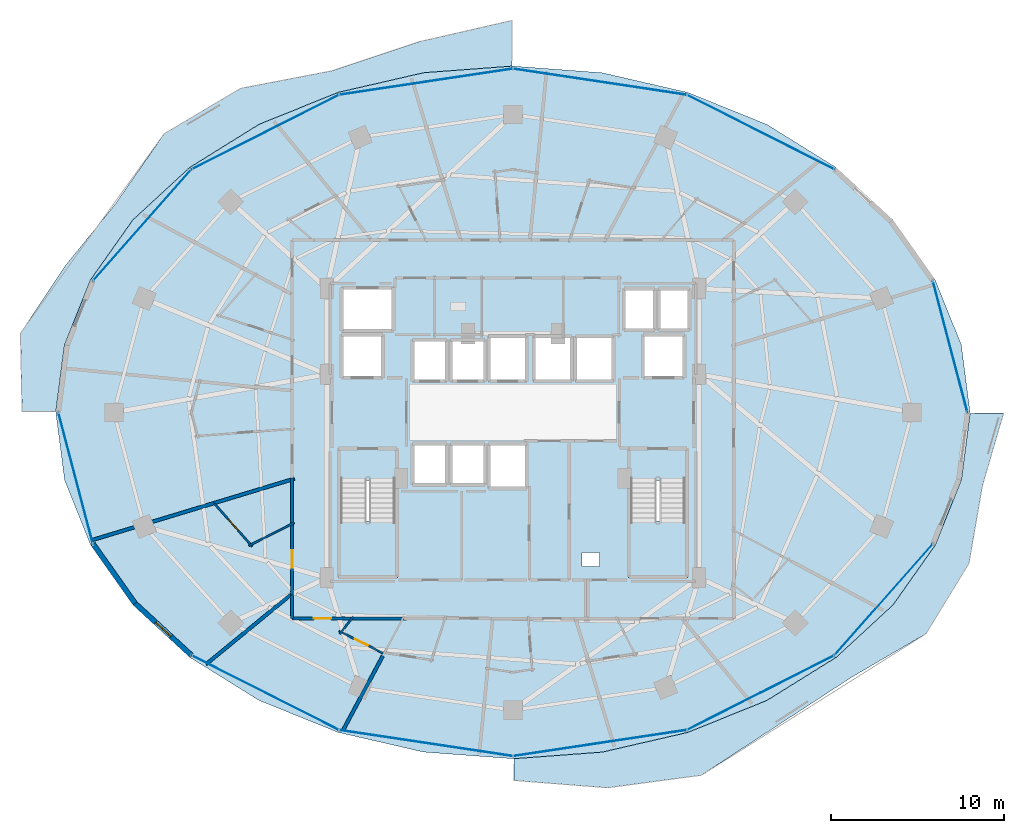
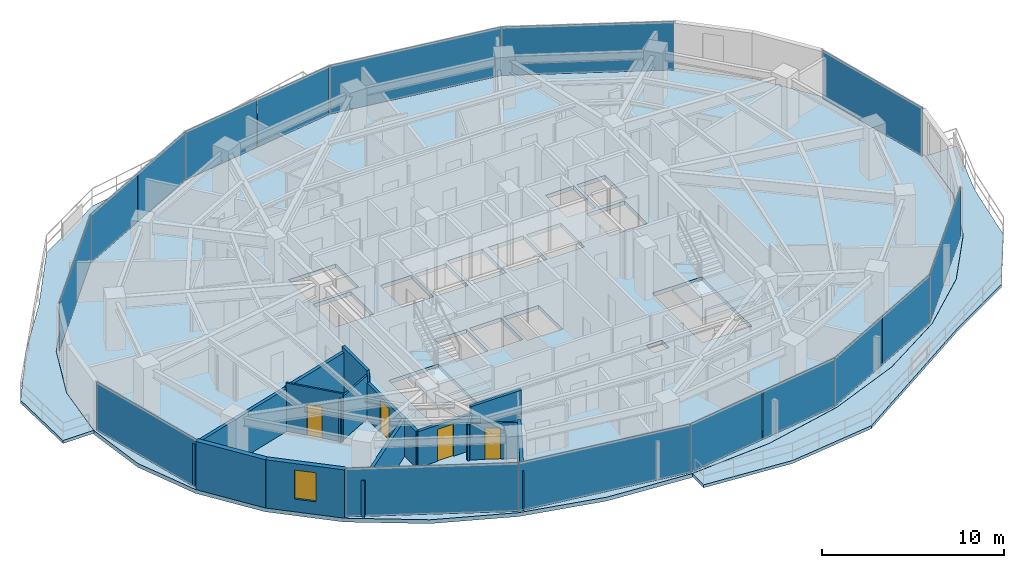
# One storey, part 20 of 29: 16 plates, 15 walls, 5 slabs, 4 doors, 1 window, 5 openings, 6 elements without a shape of their own.
"""IFC4 building model written with IfcOpenShell, lengths in metres."""

import ifcopenshell
import ifcopenshell.guid

model = None  # the IFC model being written
_history = None  # IfcOwnerHistory: only IFC2X3 demands one
_inside = {}  # id of a spatial element -> (the spatial element, [elements in it])
_under = {}  # id of a project, library or spatial element -> (it, [spatial elements below it])
_declared = {}  # id of a project -> (the project, [libraries it declares])
_typed = {}  # id of a type object -> (the type object, [elements of that type])
_made_of = {}  # id of a material, layer set ... -> (it, [elements and type objects made of it])


def new_model(schema):
    """Start an empty IFC model of exactly this schema.

    Asked for "IFC4X3", IfcOpenShell would pick the latest addendum, in which some entities
    have other attributes; the version numbers below select the first issue.
    IFC2X3 requires an IfcOwnerHistory on every rooted entity: one is made here for all.
    """
    global model, _history
    if schema == "IFC4X3":
        model = ifcopenshell.file(schema_version=(4, 3, 0, 0))
    else:
        model = ifcopenshell.file(schema=schema)
    _inside.clear()
    _under.clear()
    _declared.clear()
    _typed.clear()
    _made_of.clear()
    _history = None
    if model.schema == "IFC2X3":
        org = make("IfcOrganization", Name="unknown")
        user = make(
            "IfcPersonAndOrganization",
            ThePerson=make("IfcPerson", FamilyName="unknown"),
            TheOrganization=org,
        )
        app = make(
            "IfcApplication",
            ApplicationDeveloper=org,
            Version="unknown",
            ApplicationFullName="unknown",
            ApplicationIdentifier="unknown",
        )
        _history = make(
            "IfcOwnerHistory",
            OwningUser=user,
            OwningApplication=app,
            ChangeAction="ADDED",
            CreationDate=0,
        )
    return model


def make(cls, **values):
    """One entity of the class cls with the attributes given. An attribute that is None is left unset."""
    return model.create_entity(
        cls, **{name: value for name, value in values.items() if value is not None}
    )


def rooted(cls, **values):
    """An entity with a GlobalId (a new one), such as an element, a storey or a relation."""
    return make(cls, GlobalId=ifcopenshell.guid.new(), OwnerHistory=_history, **values)


def si_unit(unit_type, name, prefix=None):
    """IfcSIUnit, for example si_unit("LENGTHUNIT", "METRE", prefix="MILLI")."""
    return make("IfcSIUnit", UnitType=unit_type, Prefix=prefix, Name=name)


def assignment(units):
    """IfcUnitAssignment: the units of a project."""
    return None if units is None else make("IfcUnitAssignment", Units=units)


def point(xyz):
    """IfcCartesianPoint."""
    return None if xyz is None else make("IfcCartesianPoint", Coordinates=xyz)


def direction(xyz):
    """IfcDirection."""
    return None if xyz is None else make("IfcDirection", DirectionRatios=xyz)


def frame(location, z_axis=None, x_axis=None):
    """IfcAxis2Placement3D, a coordinate frame: its origin and axes. An axis left out is left unset."""
    return make(
        "IfcAxis2Placement3D",
        Location=point(location),
        Axis=direction(z_axis),
        RefDirection=direction(x_axis),
    )


def frame_2d(location, x_axis=None):
    """IfcAxis2Placement2D, a coordinate frame in the plane: its origin and x axis."""
    return make(
        "IfcAxis2Placement2D", Location=point(location), RefDirection=direction(x_axis)
    )


def origin():
    """The frame at (0, 0, 0) with its axes left unset."""
    return frame((0.0, 0.0, 0.0))


def origin_2d():
    """The frame at (0, 0) in the plane with its x axis left unset."""
    return frame_2d((0.0, 0.0))


def place(relative_to, where):
    """IfcLocalPlacement: puts the frame where relative to a parent placement (None: the world)."""
    return make(
        "IfcLocalPlacement", PlacementRelTo=relative_to, RelativePlacement=where
    )


def context(
    kind, dimensions, precision=None, world=None, true_north=None, identifier=None
):
    """IfcGeometricRepresentationContext, for example the 3D "Model" context."""
    return make(
        "IfcGeometricRepresentationContext",
        ContextIdentifier=identifier,
        ContextType=kind,
        CoordinateSpaceDimension=dimensions,
        Precision=precision,
        WorldCoordinateSystem=world,
        TrueNorth=true_north,
    )


def subcontext(parent, identifier, kind, view, scale=None):
    """IfcGeometricRepresentationSubContext, for example "Body" below "Model"."""
    return make(
        "IfcGeometricRepresentationSubContext",
        ContextIdentifier=identifier,
        ContextType=kind,
        ParentContext=parent,
        TargetScale=scale,
        TargetView=view,
    )


def project(units=None, contexts=None):
    """IfcProject with its units and contexts."""
    return rooted(
        "IfcProject",
        Name="project",
        RepresentationContexts=contexts,
        UnitsInContext=assignment(units),
    )


def spatial(cls, under=None, at=None, **own):
    """A site, building, storey or space (cls), placed at a placement, below another one or the project."""
    s = rooted(cls, ObjectPlacement=at, **own)
    if under is not None:
        _under.setdefault(under.id(), (under, []))[1].append(s)
    return s


def polyline(points):
    """IfcPolyline through the points."""
    return make("IfcPolyline", Points=[point(p) for p in points])


def profile(cls, at=None, kind="AREA", **sizes):
    """A parametric profile (cls). Its sizes go by their IFC names, for example OverallWidth=200.0."""
    return make(cls, ProfileType=kind, Position=at, **sizes)


def rectangle(**sizes):
    """IfcRectangleProfileDef."""
    return profile("IfcRectangleProfileDef", **sizes)


def outline(outer, holes=None, kind="AREA"):
    """IfcArbitraryClosedProfileDef: a profile drawn as a closed curve; with holes, ...WithVoids."""
    if holes is None:
        return make("IfcArbitraryClosedProfileDef", ProfileType=kind, OuterCurve=outer)
    return make(
        "IfcArbitraryProfileDefWithVoids",
        ProfileType=kind,
        OuterCurve=outer,
        InnerCurves=holes,
    )


def extrude(swept, where, along, depth):
    """IfcExtrudedAreaSolid: the profile swept, set in the frame where, extruded along a direction by depth."""
    return make(
        "IfcExtrudedAreaSolid",
        SweptArea=swept,
        Position=where,
        ExtrudedDirection=direction(along),
        Depth=depth,
    )


def shape(context_of_items, identifier, shape_type, items):
    """IfcShapeRepresentation: the items that make up one representation, for example the "Body"."""
    return make(
        "IfcShapeRepresentation",
        ContextOfItems=context_of_items,
        RepresentationIdentifier=identifier,
        RepresentationType=shape_type,
        Items=items,
    )


def material(Name=None, Category=None):
    """IfcMaterial."""
    return make("IfcMaterial", Name=Name, Category=Category)


def layer(
    of_material, thickness, ventilated=None, Name=None, Category=None, Priority=None
):
    """IfcMaterialLayer: one layer of a wall or slab, of a material (None: an air gap)."""
    return make(
        "IfcMaterialLayer",
        Material=of_material,
        LayerThickness=thickness,
        IsVentilated=ventilated,
        Name=Name,
        Category=Category,
        Priority=Priority,
    )


def layer_set(layers, Name=None):
    """IfcMaterialLayerSet."""
    return make("IfcMaterialLayerSet", MaterialLayers=layers, LayerSetName=Name)


def made_of(thing, what):
    """Note that an element or type object is made of a material, layer set ...; save() writes the relation."""
    if what is not None:
        _made_of.setdefault(what.id(), (what, []))[1].append(thing)
    return thing


def type_object(cls, material=None, **own):
    """A type object (cls), such as IfcWallType, which elements share."""
    return made_of(rooted(cls, **own), material)


def element(
    cls,
    number,
    at=None,
    inside=None,
    cuts=None,
    type_object=None,
    material=None,
    context=None,
    identifier="Body",
    shape_type=None,
    held_by="IfcProductDefinitionShape",
    body=None,
    shapes=None,
    **own,
):
    """One element of the class cls, such as IfcWall. Its Tag is "e" and its number.

    at: its placement. inside: the storey or other place that contains it. cuts: it is an
    opening in that element (IfcRelVoidsElement). A single representation is given by context,
    identifier, shape_type and body (its items); several are given by shapes. held_by: the class
    of the entity that holds the representations. save() writes the other relations.
    """
    e = rooted(cls, Tag="e%d" % number, ObjectPlacement=at, **own)
    if body is not None:
        shapes = [shape(context, identifier, shape_type, body)]
    if shapes is not None:
        e.Representation = make(held_by, Representations=shapes)
    if inside is not None:
        _inside.setdefault(inside.id(), (inside, []))[1].append(e)
    if cuts is not None:
        rooted(
            "IfcRelVoidsElement", RelatingBuildingElement=cuts, RelatedOpeningElement=e
        )
    if type_object is not None:
        _typed.setdefault(type_object.id(), (type_object, []))[1].append(e)
    return made_of(e, material)


def fill(opening, filler):
    """IfcRelFillsElement: the door or window that sits in an opening."""
    return rooted(
        "IfcRelFillsElement",
        RelatingOpeningElement=opening,
        RelatedBuildingElement=filler,
    )


def aggregate(whole, parts):
    """IfcRelAggregates: a whole, such as a stair, and the parts it consists of."""
    return rooted("IfcRelAggregates", RelatingObject=whole, RelatedObjects=parts)


def save(model, path):
    """Write the relations noted so far, then the file.

    IfcRelAggregates (storeys below a building ...), IfcRelContainedInSpatialStructure (elements
    in a storey), IfcRelDefinesByType, IfcRelAssociatesMaterial and IfcRelDeclares: one each for
    every whole, place, type object, material and project.
    """
    for whole, parts in _under.values():
        aggregate(whole, parts)
    for where, things in _inside.values():
        rooted(
            "IfcRelContainedInSpatialStructure",
            RelatedElements=things,
            RelatingStructure=where,
        )
    for kind, things in _typed.values():
        rooted("IfcRelDefinesByType", RelatedObjects=things, RelatingType=kind)
    for what, things in _made_of.values():
        rooted("IfcRelAssociatesMaterial", RelatedObjects=things, RelatingMaterial=what)
    for by, libraries in _declared.values():
        rooted("IfcRelDeclares", RelatingContext=by, RelatedDefinitions=libraries)
    model.write(path)


model = new_model("IFC4")

# Units and contexts
model_context = context("Model", 3, precision=1e-05, world=origin(), true_north=direction((0.0, 1.0)))
body_context = subcontext(model_context, "Body", "Model", "MODEL_VIEW")
ifc_project = project(units=[si_unit("LENGTHUNIT", "METRE"), si_unit("AREAUNIT", "SQUARE_METRE"), si_unit("VOLUMEUNIT", "CUBIC_METRE"), si_unit("PLANEANGLEUNIT", "RADIAN"), si_unit("MASSUNIT", "GRAM", prefix="KILO")], contexts=[model_context])

# Site, building, storey
site_placement = place(None, origin())
site = spatial("IfcSite", under=ifc_project, at=site_placement, CompositionType="ELEMENT")
building_placement = place(site_placement, origin())
building = spatial("IfcBuilding", under=site, at=building_placement, Name="Vorneva Point Tower", CompositionType="ELEMENT")
storey_placement = place(building_placement, frame((0.0, 0.0, 113.800048828125)))
storey = spatial("IfcBuildingStorey", under=building, at=storey_placement, Name="L30", CompositionType="ELEMENT", Elevation=113.800048828125)

# Curtain wall, plate
ifc_material_1 = material(Name="Pale anodised aluminium", Category="aluminium")
curtain_wall_type = type_object("IfcCurtainWallType", Name="CW-HTL-SYS", PredefinedType="NOTDEFINED", material=ifc_material_1)
curtain_wall_1_placement = place(storey_placement, origin())
curtain_wall_1 = element("IfcCurtainWall", 1, at=curtain_wall_1_placement, inside=storey, type_object=curtain_wall_type, Name="L30 Unitised Curtain Wall CW-L30-R01", PredefinedType="NOTDEFINED")
ifc_material_2 = material(Name="Double low-e laminated glass IGU", Category="glass")
ifc_layer_1 = layer(ifc_material_2, 0.035888671875)
ifc_layer_set_1 = layer_set([ifc_layer_1], Name="Double low-e laminated glass IGU")
plate_type = type_object("IfcPlateType", Name="CW-PNL-VIS", PredefinedType="CURTAIN_PANEL", material=ifc_layer_set_1)
plate_1_placement = place(storey_placement, frame((63.2509765625, 29.798095703125, -0.02001953125), z_axis=(0.0, 0.0, 1.0), x_axis=(-0.254399404995, 0.967099241411, 0.0)))
plate_1 = element("IfcPlate", 2, at=plate_1_placement, type_object=plate_type, Name="CW-L30-R01 Glazed Panel 01", PredefinedType="CURTAIN_PANEL", context=body_context, shape_type="SweptSolid", body=[
    extrude(rectangle(XDim=7.8046875, YDim=0.035888671875, at=origin_2d()), origin(), (0.0, 0.0, 1.0), 3.280029296875),
])
aggregate(curtain_wall_1, [plate_1])

# Curtain wall, plates
curtain_wall_2_placement = place(storey_placement, origin())
curtain_wall_2 = element("IfcCurtainWall", 3, at=curtain_wall_2_placement, inside=storey, type_object=curtain_wall_type, Name="L30 Unitised Curtain Wall CW-L30-R02", PredefinedType="NOTDEFINED")
plate_2_placement = place(storey_placement, frame((52.303466796875, 42.1875, -0.02001953125), z_axis=(0.0, 0.0, 1.0), x_axis=(-0.892538597772, 0.450971009585, 0.0)))
plate_2 = element("IfcPlate", 4, at=plate_2_placement, type_object=plate_type, Name="CW-L30-R02 Glazed Panel 01", PredefinedType="CURTAIN_PANEL", context=body_context, shape_type="SweptSolid", body=[
    extrude(rectangle(XDim=9.491455078125, YDim=0.035888671875, at=origin_2d()), origin(), (0.0, 0.0, 1.0), 3.280029296875),
])
plate_3_placement = place(storey_placement, frame((43.022705078125, 45.094482421875, -0.02001953125), z_axis=(0.0, 0.0, 1.0), x_axis=(-0.988876117041, 0.148741470836, 0.0)))
plate_3 = element("IfcPlate", 5, at=plate_3_placement, type_object=plate_type, Name="CW-L30-R02 Glazed Panel 02", PredefinedType="CURTAIN_PANEL", context=body_context, shape_type="SweptSolid", body=[
    extrude(rectangle(XDim=10.1083984375, YDim=0.035888671875, at=origin_2d()), origin(), (0.0, 0.0, 1.0), 3.280029296875),
])
plate_4_placement = place(storey_placement, frame((35.488525390625, 45.472412109375, -0.02001953125), z_axis=(0.0, 0.0, 1.0), x_axis=(-0.988876117041, -0.148741470836, 0.0)))
plate_4 = element("IfcPlate", 6, at=plate_4_placement, type_object=plate_type, Name="CW-L30-R02 Glazed Panel 03A", PredefinedType="CURTAIN_PANEL", context=body_context, shape_type="SweptSolid", body=[
    extrude(rectangle(XDim=5.029296875, YDim=0.035888671875, at=origin_2d()), origin(), (0.0, 0.0, 1.0), 3.280029296875),
])
plate_5_placement = place(storey_placement, frame((30.4658203125, 44.716796875, -0.02001953125), z_axis=(0.0, 0.0, 1.0), x_axis=(-0.988876117041, -0.148741470836, 0.0)))
plate_5 = element("IfcPlate", 7, at=plate_5_placement, type_object=plate_type, Name="CW-L30-R02 Glazed Panel 03B", PredefinedType="CURTAIN_PANEL", context=body_context, shape_type="SweptSolid", body=[
    extrude(rectangle(XDim=5.029296875, YDim=0.035888671875, at=origin_2d()), origin(), (0.0, 0.0, 1.0), 3.280029296875),
])
plate_6_placement = place(storey_placement, frame((25.825439453125, 43.26318359375, -0.02001953125), z_axis=(0.0, 0.0, 1.0), x_axis=(-0.892538597772, -0.450971009585, 0.0)))
plate_6 = element("IfcPlate", 8, at=plate_6_placement, type_object=plate_type, Name="CW-L30-R02 Glazed Panel 04A", PredefinedType="CURTAIN_PANEL", context=body_context, shape_type="SweptSolid", body=[
    extrude(rectangle(XDim=4.720703125, YDim=0.035888671875, at=origin_2d()), origin(), (0.0, 0.0, 1.0), 3.280029296875),
])
plate_7_placement = place(storey_placement, frame((21.5673828125, 41.11181640625, -0.02001953125), z_axis=(0.0, 0.0, 1.0), x_axis=(-0.892538597772, -0.450971009585, 0.0)))
plate_7 = element("IfcPlate", 9, at=plate_7_placement, type_object=plate_type, Name="CW-L30-R02 Glazed Panel 04B", PredefinedType="CURTAIN_PANEL", context=body_context, shape_type="SweptSolid", body=[
    extrude(rectangle(XDim=4.720703125, YDim=0.035888671875, at=origin_2d()), origin(), (0.0, 0.0, 1.0), 3.280029296875),
])
plate_8_placement = place(storey_placement, frame((16.59326171875, 36.816162109375, -0.02001953125), z_axis=(0.0, 0.0, 1.0), x_axis=(-0.662149334693, -0.749371909379, 0.0)))
plate_8 = element("IfcPlate", 10, at=plate_8_placement, type_object=plate_type, Name="CW-L30-R02 Glazed Panel 05", PredefinedType="CURTAIN_PANEL", context=body_context, shape_type="SweptSolid", body=[
    extrude(rectangle(XDim=8.543701171875, YDim=0.035888671875, at=origin_2d()), origin(), (0.0, 0.0, 1.0), 3.280029296875),
])
aggregate(curtain_wall_2, [plate_2, plate_3, plate_4, plate_5, plate_6, plate_7, plate_8])

# Curtain wall, plate
curtain_wall_3_placement = place(storey_placement, origin())
curtain_wall_3 = element("IfcCurtainWall", 11, at=curtain_wall_3_placement, inside=storey, type_object=curtain_wall_type, Name="L30 Unitised Curtain Wall CW-L30-R03", PredefinedType="NOTDEFINED")
plate_9_placement = place(storey_placement, frame((12.7490234375, 22.201904296875, -0.02001953125), z_axis=(0.0, 0.0, 1.0), x_axis=(0.254399404995, -0.967099241411, 0.0)))
plate_9 = element("IfcPlate", 12, at=plate_9_placement, type_object=plate_type, Name="CW-L30-R03 Glazed Panel 01", PredefinedType="CURTAIN_PANEL", context=body_context, shape_type="SweptSolid", body=[
    extrude(rectangle(XDim=7.8046875, YDim=0.035888671875, at=origin_2d()), origin(), (0.0, 0.0, 1.0), 3.280029296875),
])
aggregate(curtain_wall_3, [plate_9])

# Curtain wall, plates
curtain_wall_4_placement = place(storey_placement, origin())
curtain_wall_4 = element("IfcCurtainWall", 13, at=curtain_wall_4_placement, inside=storey, type_object=curtain_wall_type, Name="L30 Unitised Curtain Wall CW-L30-R04", PredefinedType="NOTDEFINED")
plate_10_placement = place(storey_placement, frame((23.696533203125, 9.8125, -0.02001953125), z_axis=(0.0, 0.0, 1.0), x_axis=(0.892538597772, -0.450971009585, 0.0)))
plate_10 = element("IfcPlate", 14, at=plate_10_placement, type_object=plate_type, Name="CW-L30-R04 Glazed Panel 01", PredefinedType="CURTAIN_PANEL", context=body_context, shape_type="SweptSolid", body=[
    extrude(rectangle(XDim=9.491455078125, YDim=0.035888671875, at=origin_2d()), origin(), (0.0, 0.0, 1.0), 3.280029296875),
])
plate_11_placement = place(storey_placement, frame((32.977294921875, 6.905517578125, -0.02001953125), z_axis=(0.0, 0.0, 1.0), x_axis=(0.988876117041, -0.148741470836, 0.0)))
plate_11 = element("IfcPlate", 15, at=plate_11_placement, type_object=plate_type, Name="CW-L30-R04 Glazed Panel 02", PredefinedType="CURTAIN_PANEL", context=body_context, shape_type="SweptSolid", body=[
    extrude(rectangle(XDim=10.1083984375, YDim=0.035888671875, at=origin_2d()), origin(), (0.0, 0.0, 1.0), 3.280029296875),
])
plate_12_placement = place(storey_placement, frame((40.511474609375, 6.52783203125, -0.02001953125), z_axis=(0.0, 0.0, 1.0), x_axis=(0.988876117041, 0.148741470836, 0.0)))
plate_12 = element("IfcPlate", 16, at=plate_12_placement, type_object=plate_type, Name="CW-L30-R04 Glazed Panel 03A", PredefinedType="CURTAIN_PANEL", context=body_context, shape_type="SweptSolid", body=[
    extrude(rectangle(XDim=5.029296875, YDim=0.035888671875, at=origin_2d()), origin(), (0.0, 0.0, 1.0), 3.280029296875),
])
plate_13_placement = place(storey_placement, frame((45.5341796875, 7.283203125, -0.02001953125), z_axis=(0.0, 0.0, 1.0), x_axis=(0.988876117041, 0.148741470836, 0.0)))
plate_13 = element("IfcPlate", 17, at=plate_13_placement, type_object=plate_type, Name="CW-L30-R04 Glazed Panel 03B", PredefinedType="CURTAIN_PANEL", context=body_context, shape_type="SweptSolid", body=[
    extrude(rectangle(XDim=5.029296875, YDim=0.035888671875, at=origin_2d()), origin(), (0.0, 0.0, 1.0), 3.280029296875),
])
plate_14_placement = place(storey_placement, frame((50.174560546875, 8.73681640625, -0.02001953125), z_axis=(0.0, 0.0, 1.0), x_axis=(0.892538597772, 0.450971009585, 0.0)))
plate_14 = element("IfcPlate", 18, at=plate_14_placement, type_object=plate_type, Name="CW-L30-R04 Glazed Panel 04A", PredefinedType="CURTAIN_PANEL", context=body_context, shape_type="SweptSolid", body=[
    extrude(rectangle(XDim=4.720703125, YDim=0.035888671875, at=origin_2d()), origin(), (0.0, 0.0, 1.0), 3.280029296875),
])
plate_15_placement = place(storey_placement, frame((54.4326171875, 10.88818359375, -0.02001953125), z_axis=(0.0, 0.0, 1.0), x_axis=(0.892538597772, 0.450971009585, 0.0)))
plate_15 = element("IfcPlate", 19, at=plate_15_placement, type_object=plate_type, Name="CW-L30-R04 Glazed Panel 04B", PredefinedType="CURTAIN_PANEL", context=body_context, shape_type="SweptSolid", body=[
    extrude(rectangle(XDim=4.720703125, YDim=0.035888671875, at=origin_2d()), origin(), (0.0, 0.0, 1.0), 3.280029296875),
])
plate_16_placement = place(storey_placement, frame((59.40673828125, 15.183837890625, -0.02001953125), z_axis=(0.0, 0.0, 1.0), x_axis=(0.662149334693, 0.749371909379, 0.0)))
plate_16 = element("IfcPlate", 20, at=plate_16_placement, type_object=plate_type, Name="CW-L30-R04 Glazed Panel 05", PredefinedType="CURTAIN_PANEL", context=body_context, shape_type="SweptSolid", body=[
    extrude(rectangle(XDim=8.543701171875, YDim=0.035888671875, at=origin_2d()), origin(), (0.0, 0.0, 1.0), 3.280029296875),
])
aggregate(curtain_wall_4, [plate_10, plate_11, plate_12, plate_13, plate_14, plate_15, plate_16])

# Slabs
ifc_material_3 = material(Name="Concrete B50 (C40/50)", Category="concrete")
ifc_layer_2 = layer(ifc_material_3, 0.199951171875)
ifc_layer_set_2 = layer_set([ifc_layer_2], Name="Concrete B50 (C40/50)")
slab_type_1 = type_object("IfcSlabType", Name="SLB-BAL-200", PredefinedType="FLOOR", material=ifc_layer_set_2)
slab_1_placement = place(storey_placement, frame((0.0, 0.0, -0.199951171875)))
element("IfcSlab", 21, at=slab_1_placement, inside=storey, type_object=slab_type_1, Name="L30 Cantilevered Wave Balcony NW", PredefinedType="FLOOR", context=body_context, shape_type="SweptSolid", body=[
    extrude(outline(polyline([(9.64892578125, 26.050048828125), (11.6025390625, 26.050048828125), (12.103271484375, 29.90234375), (12.103515625, 29.902587890625), (12.103515625, 29.903076171875), (12.103515625, 29.9033203125), (13.60595703125, 33.6552734375), (13.606201171875, 33.655517578125), (13.606201171875, 33.656005859375), (16.0458984375, 37.11376953125), (16.046142578125, 37.114013671875), (16.04638671875, 37.1142578125), (19.32958984375, 40.14501953125), (19.330078125, 40.145263671875), (19.330322265625, 40.1455078125), (23.330810546875, 42.6328125), (23.3310546875, 42.633056640625), (23.331298828125, 42.633056640625), (27.895751953125, 44.481201171875), (27.89599609375, 44.4814453125), (27.896240234375, 44.4814453125), (32.8486328125, 45.61962890625), (32.84912109375, 45.61962890625), (32.849365234375, 45.61962890625), (37.949951171875, 46.000244140625), (37.949951171875, 48.638671875), (32.579345703125, 47.408935546875), (27.5068359375, 45.72119140625), (22.276611328125, 44.71630859375), (17.85595703125, 42.091064453125), (15.023193359375, 38.016357421875), (12.1337890625, 34.460693359375), (9.55712890625, 30.5712890625), (9.64892578125, 26.050048828125)])), origin(), (0.0, 0.0, 1.0), 0.199951171875),
])
slab_2_placement = place(storey_placement, frame((0.0, 0.0, -0.199951171875)))
element("IfcSlab", 22, at=slab_2_placement, inside=storey, type_object=slab_type_1, Name="L30 Cantilevered Wave Balcony SE", PredefinedType="FLOOR", context=body_context, shape_type="SweptSolid", body=[
    extrude(outline(polyline([(65.11474609375, 21.77734375), (66.33544921875, 25.949951171875), (64.3974609375, 25.949951171875), (63.896728515625, 22.09765625), (63.896484375, 22.097412109375), (63.896484375, 22.096923828125), (63.896484375, 22.0966796875), (62.39404296875, 18.3447265625), (62.393798828125, 18.344482421875), (62.393798828125, 18.343994140625), (59.9541015625, 14.88623046875), (59.953857421875, 14.885986328125), (59.95361328125, 14.8857421875), (56.67041015625, 11.85498046875), (56.669921875, 11.854736328125), (56.669677734375, 11.8544921875), (52.669189453125, 9.3671875), (52.6689453125, 9.366943359375), (52.668701171875, 9.366943359375), (48.104248046875, 7.518798828125), (48.10400390625, 7.5185546875), (48.103759765625, 7.5185546875), (43.1513671875, 6.38037109375), (43.15087890625, 6.38037109375), (43.150634765625, 6.38037109375), (38.050048828125, 5.999755859375), (38.050048828125, 4.74609375), (43.461181640625, 4.321044921875), (48.88037109375, 5.044921875), (53.3720703125, 7.977783203125), (57.546142578125, 10.697998046875), (61.849609375, 13.213623046875), (64.33642578125, 17.2822265625), (65.11474609375, 21.77734375)])), origin(), (0.0, 0.0, 1.0), 0.199951171875),
])

# Stair, slab
stair_type = type_object("IfcStairType", Name="ST-DOG-1500", PredefinedType="HALF_TURN_STAIR", material=ifc_material_3)
stair_1_placement = place(storey_placement, origin())
stair_1 = element("IfcStair", 23, at=stair_1_placement, inside=storey, type_object=stair_type, Name="L30 ST1", PredefinedType="HALF_TURN_STAIR")
ifc_layer_3 = layer(ifc_material_3, 0.199951171875)
ifc_layer_set_3 = layer_set([ifc_layer_3], Name="Concrete B50 (C40/50)")
slab_type_2 = type_object("IfcSlabType", Name="SLB-LND-200", PredefinedType="LANDING", material=ifc_layer_set_3)
slab_3_placement = place(storey_placement, frame((0.0, 0.0, 1.550048828125)))
slab_3 = element("IfcSlab", 24, at=slab_3_placement, type_object=slab_type_2, Name="ST1 landing 1", PredefinedType="LANDING", context=body_context, shape_type="SweptSolid", body=[
    extrude(outline(polyline([(27.929931640625, 16.47998046875), (31.320068359375, 16.47998046875), (31.320068359375, 19.72998046875), (27.929931640625, 19.72998046875), (27.929931640625, 16.47998046875)])), origin(), (0.0, 0.0, 1.0), 0.199951171875),
])
aggregate(stair_1, [slab_3])

stair_2_placement = place(storey_placement, origin())
stair_2 = element("IfcStair", 25, at=stair_2_placement, inside=storey, type_object=stair_type, Name="L30 ST2", PredefinedType="HALF_TURN_STAIR")
slab_4_placement = place(storey_placement, frame((0.0, 0.0, 1.550048828125)))
slab_4 = element("IfcSlab", 26, at=slab_4_placement, type_object=slab_type_2, Name="ST2 landing 1", PredefinedType="LANDING", context=body_context, shape_type="SweptSolid", body=[
    extrude(outline(polyline([(44.679931640625, 16.47998046875), (48.070068359375, 16.47998046875), (48.070068359375, 19.72998046875), (44.679931640625, 19.72998046875), (44.679931640625, 16.47998046875)])), origin(), (0.0, 0.0, 1.0), 0.199951171875),
])
aggregate(stair_2, [slab_4])

# Slab
ifc_layer_4 = layer(ifc_material_3, 0.260009765625)
ifc_layer_set_4 = layer_set([ifc_layer_4], Name="Concrete B50 (C40/50)")
slab_type_3 = type_object("IfcSlabType", Name="SLB-TYP-260", PredefinedType="FLOOR", material=ifc_layer_set_4)
slab_5_placement = place(storey_placement, frame((0.0, 0.0, -0.260009765625)))
element("IfcSlab", 27, at=slab_5_placement, inside=storey, type_object=slab_type_3, Name="L30 Structural Floor Plate", PredefinedType="FLOOR", context=body_context, shape_type="SweptSolid", body=[
    extrude(outline(polyline([(64.39990234375, 26.0), (63.892578125, 29.90185546875), (62.390380859375, 33.65380859375), (59.95068359375, 37.111328125), (56.66748046875, 40.14208984375), (52.6669921875, 42.62939453125), (48.102783203125, 44.4775390625), (43.150390625, 45.61572265625), (38.0, 46.0), (32.849609375, 45.61572265625), (27.897216796875, 44.4775390625), (23.3330078125, 42.62939453125), (19.33251953125, 40.14208984375), (16.04931640625, 37.111328125), (13.609619140625, 33.65380859375), (12.107421875, 29.90185546875), (11.60009765625, 26.0), (12.107421875, 22.09814453125), (13.609619140625, 18.34619140625), (16.04931640625, 14.888671875), (19.33251953125, 11.85791015625), (23.3330078125, 9.37060546875), (27.897216796875, 7.5224609375), (32.849609375, 6.38427734375), (38.0, 6.0), (43.150390625, 6.38427734375), (48.102783203125, 7.5224609375), (52.6669921875, 9.37060546875), (56.66748046875, 11.85791015625), (59.95068359375, 14.888671875), (62.390380859375, 18.34619140625), (63.892578125, 22.09814453125), (64.39990234375, 26.0)]), holes=[polyline([(32.199951171875, 27.800048828125), (34.199951171875, 27.800048828125), (34.199951171875, 30.199951171875), (32.199951171875, 30.199951171875), (32.199951171875, 27.800048828125)]), polyline([(34.39990234375, 27.800048828125), (36.39990234375, 27.800048828125), (36.39990234375, 30.199951171875), (34.39990234375, 30.199951171875), (34.39990234375, 27.800048828125)]), polyline([(36.60009765625, 27.800048828125), (38.800048828125, 27.800048828125), (38.800048828125, 30.39990234375), (36.60009765625, 30.39990234375), (36.60009765625, 27.800048828125)]), polyline([(32.199951171875, 21.800048828125), (34.199951171875, 21.800048828125), (34.199951171875, 24.199951171875), (32.199951171875, 24.199951171875), (32.199951171875, 21.800048828125)]), polyline([(34.39990234375, 21.800048828125), (36.39990234375, 21.800048828125), (36.39990234375, 24.199951171875), (34.39990234375, 24.199951171875), (34.39990234375, 21.800048828125)]), polyline([(36.60009765625, 21.60009765625), (38.800048828125, 21.60009765625), (38.800048828125, 24.199951171875), (36.60009765625, 24.199951171875), (36.60009765625, 21.60009765625)]), polyline([(39.199951171875, 27.800048828125), (41.39990234375, 27.800048828125), (41.39990234375, 30.39990234375), (39.199951171875, 30.39990234375), (39.199951171875, 27.800048828125)]), polyline([(41.60009765625, 27.800048828125), (43.800048828125, 27.800048828125), (43.800048828125, 30.39990234375), (41.60009765625, 30.39990234375), (41.60009765625, 27.800048828125)]), polyline([(44.39990234375, 30.739990234375), (46.199951171875, 30.739990234375), (46.199951171875, 33.159912109375), (44.39990234375, 33.159912109375), (44.39990234375, 30.739990234375)]), polyline([(46.39990234375, 30.739990234375), (48.199951171875, 30.739990234375), (48.199951171875, 33.159912109375), (46.39990234375, 33.159912109375), (46.39990234375, 30.739990234375)]), polyline([(28.10009765625, 28.0), (30.5, 28.0), (30.5, 30.5), (28.10009765625, 30.5), (28.10009765625, 28.0)]), polyline([(45.5, 28.0), (47.89990234375, 28.0), (47.89990234375, 30.5), (45.5, 30.5), (45.5, 28.0)]), polyline([(28.10009765625, 30.699951171875), (31.10009765625, 30.699951171875), (31.10009765625, 33.199951171875), (28.10009765625, 33.199951171875), (28.10009765625, 30.699951171875)]), polyline([(28.050048828125, 16.60009765625), (31.199951171875, 16.60009765625), (31.199951171875, 22.080078125), (28.050048828125, 22.080078125), (28.050048828125, 16.60009765625)]), polyline([(44.800048828125, 16.60009765625), (47.949951171875, 16.60009765625), (47.949951171875, 22.080078125), (44.800048828125, 22.080078125), (44.800048828125, 16.60009765625)]), polyline([(42.0, 17.10009765625), (43.0, 17.10009765625), (43.0, 17.89990234375), (42.0, 17.89990234375), (42.0, 17.10009765625)])]), origin(), (0.0, 0.0, 1.0), 0.260009765625),
])

# Wall
ifc_material_4 = material(Name="Precast concrete B50 (C40/50)", Category="concrete")
ifc_layer_5 = layer(ifc_material_4, 0.300048828125)
ifc_layer_set_5 = layer_set([ifc_layer_5], Name="Precast concrete B50 (C40/50)")
wall_type_1 = type_object("IfcWallType", Name="WL-EXT-300", PredefinedType="STANDARD", material=ifc_layer_set_5)
wall_1_placement = place(storey_placement, frame((13.748291015625, 18.40380859375, 0.0), z_axis=(0.0, 0.0, 1.0), x_axis=(0.57716435238, -0.81662801222, 0.0)))
element("IfcWall", 28, at=wall_1_placement, inside=storey, type_object=wall_type_1, Name="L30 Pale-Metal Facade Spandrel Wall 10.1", PredefinedType="STANDARD", context=body_context, shape_type="SweptSolid", body=[
    extrude(rectangle(XDim=4.202392578125, YDim=0.300048828125, at=frame_2d((2.10107421875, 0.0))), origin(), (0.0, 0.0, 1.0), 3.239990234375),
])

# Wall, opening, window
wall_2_placement = place(storey_placement, frame((16.173828125, 14.971923828125, 0.0), z_axis=(0.0, 0.0, 1.0), x_axis=(0.735416718093, -0.677615119924, 0.0)))
wall_2 = element("IfcWall", 29, at=wall_2_placement, inside=storey, type_object=wall_type_1, Name="L30 Pale-Metal Facade Spandrel Wall 10.2", PredefinedType="STANDARD", context=body_context, shape_type="SweptSolid", body=[
    extrude(rectangle(XDim=4.439208984375, YDim=0.300048828125, at=frame_2d((2.2197265625, 0.0))), origin(), (0.0, 0.0, 1.0), 3.239990234375),
])
opening_1_placement = place(wall_2_placement, frame((1.619384765625, 0.0, 0.85009765625)))
opening_1 = element("IfcOpeningElement", 30, at=opening_1_placement, cuts=wall_2, Name="Opening W-04", PredefinedType="OPENING", context=body_context, shape_type="SweptSolid", body=[
    extrude(rectangle(XDim=1.199951171875, YDim=1.949951171875, at=frame_2d((0.60009765625, 0.97509765625))), frame((0.0, 0.1650390625, 0.0), z_axis=(0.0, -1.0, 0.0), x_axis=(1.0, 0.0, 0.0)), (0.0, 0.0, 1.0), 0.329833984375),
])
window_type = type_object("IfcWindowType", Name="WN-RES-1200", PartitioningType="SINGLE_PANEL", PredefinedType="WINDOW", material=ifc_material_2)
window_placement = place(opening_1_placement, origin())
window = element("IfcWindow", 31, at=window_placement, inside=storey, type_object=window_type, Name="L30 Dwelling Vision Window 02", OverallHeight=1.949951171875, OverallWidth=1.199951171875, PartitioningType="SINGLE_PANEL", PredefinedType="WINDOW", context=body_context, shape_type="SweptSolid", body=[
    extrude(rectangle(XDim=1.199951171875, YDim=1.949951171875, at=frame_2d((0.60009765625, 0.97509765625))), frame((0.0, 0.030029296875, 0.0), z_axis=(0.0, -1.0, 0.0), x_axis=(1.0, 0.0, 0.0)), (0.0, 0.0, 1.0), 0.06005859375),
])
fill(opening_1, window)

# Wall
ifc_material_5 = material(Name="Fire-rated acoustic gypsum stud partition", Category="gypsum")
ifc_layer_6 = layer(ifc_material_5, 0.110107421875)
ifc_layer_set_6 = layer_set([ifc_layer_6], Name="Fire-rated acoustic gypsum stud partition")
wall_type_2 = type_object("IfcWallType", Name="WL-PART-110", PredefinedType="PARTITIONING", material=ifc_layer_set_6)
wall_3_placement = place(storey_placement, frame((25.375, 19.629150390625, 0.0), z_axis=(0.0, 0.0, 1.0), x_axis=(-0.892771184856, -0.450510389992, 0.0)))
element("IfcWall", 32, at=wall_3_placement, inside=storey, type_object=wall_type_2, Name="L30 Interior Partition 090", PredefinedType="PARTITIONING", context=body_context, shape_type="SweptSolid", body=[
    extrude(rectangle(XDim=2.95947265625, YDim=0.110107421875, at=frame_2d((1.479736328125, 0.0))), origin(), (0.0, 0.0, 1.0), 2.928955078125),
])

# Wall, opening, door
wall_4_placement = place(storey_placement, frame((22.95068359375, 18.254150390625, 0.0), z_axis=(0.0, 0.0, 1.0), x_axis=(-0.662033979608, 0.749473821988, 0.0)))
wall_4 = element("IfcWall", 33, at=wall_4_placement, inside=storey, type_object=wall_type_2, Name="L30 Interior Partition 091", PredefinedType="PARTITIONING", context=body_context, shape_type="SweptSolid", body=[
    extrude(rectangle(XDim=3.30859375, YDim=0.110107421875, at=frame_2d((1.654296875, 0.0))), origin(), (0.0, 0.0, 1.0), 3.239990234375),
])
opening_2_placement = place(wall_4_placement, frame((1.229248046875, 0.0, 0.0)))
opening_2 = element("IfcOpeningElement", 34, at=opening_2_placement, cuts=wall_4, Name="Opening ID-02", PredefinedType="OPENING", context=body_context, shape_type="SweptSolid", body=[
    extrude(rectangle(XDim=0.85009765625, YDim=2.10009765625, at=frame_2d((0.425048828125, 1.050048828125))), frame((0.0, 0.06982421875, 0.0), z_axis=(0.0, -1.0, 0.0), x_axis=(1.0, 0.0, 0.0)), (0.0, 0.0, 1.0), 0.139892578125),
])
ifc_material_6 = material(Name="Engineered oak fire-rated door leaf", Category="wood")
door_type_1 = type_object("IfcDoorType", Name="DR-BATH-850", OperationType="NOTDEFINED", PredefinedType="DOOR", material=ifc_material_6)
door_1_placement = place(opening_2_placement, origin())
door_1 = element("IfcDoor", 35, at=door_1_placement, inside=storey, type_object=door_type_1, Name="L30 Door King Guest Room L30-09 / En-Suite Bathroom L30-09", OperationType="SINGLE_SWING_LEFT", OverallHeight=2.10009765625, OverallWidth=0.85009765625, PredefinedType="DOOR", context=body_context, shape_type="SweptSolid", body=[
    extrude(rectangle(XDim=0.85009765625, YDim=2.10009765625, at=frame_2d((0.425048828125, 1.050048828125))), frame((0.0, 0.02490234375, 0.0), z_axis=(0.0, -1.0, 0.0), x_axis=(1.0, 0.0, 0.0)), (0.0, 0.0, 1.0), 0.050048828125),
])
fill(opening_2, door_1)

wall_5_placement = place(storey_placement, frame((30.532958984375, 12.074951171875, 0.0), z_axis=(0.0, 0.0, 1.0), x_axis=(-0.89257679281, 0.450895407979, 0.0)))
wall_5 = element("IfcWall", 36, at=wall_5_placement, inside=storey, type_object=wall_type_2, Name="L30 Interior Partition 093", PredefinedType="PARTITIONING", context=body_context, shape_type="SweptSolid", body=[
    extrude(rectangle(XDim=2.88818359375, YDim=0.110107421875, at=frame_2d((1.444091796875, 0.0))), origin(), (0.0, 0.0, 1.0), 2.431884765625),
])
opening_3_placement = place(wall_5_placement, frame((1.01904296875, 0.0, 0.0)))
opening_3 = element("IfcOpeningElement", 37, at=opening_3_placement, cuts=wall_5, Name="Opening ID-02", PredefinedType="OPENING", context=body_context, shape_type="SweptSolid", body=[
    extrude(rectangle(XDim=0.85009765625, YDim=2.10009765625, at=frame_2d((0.425048828125, 1.050048828125))), frame((0.0, 0.06982421875, 0.0), z_axis=(0.0, -1.0, 0.0), x_axis=(1.0, 0.0, 0.0)), (0.0, 0.0, 1.0), 0.139892578125),
])
door_2_placement = place(opening_3_placement, origin())
door_2 = element("IfcDoor", 38, at=door_2_placement, inside=storey, type_object=door_type_1, Name="L30 Door Twin Guest Room L30-10 / En-Suite Bathroom L30-10", OperationType="SINGLE_SWING_RIGHT", OverallHeight=2.10009765625, OverallWidth=0.85009765625, PredefinedType="DOOR", context=body_context, shape_type="SweptSolid", body=[
    extrude(rectangle(XDim=0.85009765625, YDim=2.10009765625, at=frame_2d((0.425048828125, 1.050048828125))), frame((0.0, 0.02490234375, 0.0), z_axis=(0.0, -1.0, 0.0), x_axis=(1.0, 0.0, 0.0)), (0.0, 0.0, 1.0), 0.050048828125),
])
fill(opening_3, door_2)

# Wall
wall_6_placement = place(storey_placement, frame((27.993896484375, 13.20361328125, 0.0), z_axis=(0.0, 0.0, 1.0), x_axis=(0.615632914819, 0.788033066687, 0.0)))
element("IfcWall", 39, at=wall_6_placement, inside=storey, type_object=wall_type_2, Name="L30 Interior Partition 094", PredefinedType="PARTITIONING", context=body_context, shape_type="SweptSolid", body=[
    extrude(rectangle(XDim=1.27734375, YDim=0.110107421875, at=frame_2d((0.638671875, 0.0))), origin(), (0.0, 0.0, 1.0), 2.431884765625),
])

# Wall, opening, door
ifc_material_7 = material(Name="Autoclaved aerated concrete blockwork", Category="masonry")
ifc_layer_7 = layer(ifc_material_7, 0.179931640625)
ifc_layer_set_7 = layer_set([ifc_layer_7], Name="Autoclaved aerated concrete blockwork")
wall_type_3 = type_object("IfcWallType", Name="WL-PART-180", PredefinedType="PARTITIONING", material=ifc_layer_set_7)
wall_7_placement = place(storey_placement, frame((25.25, 19.6259765625, 0.0), z_axis=(0.0, 0.0, 1.0), x_axis=(0.0, -1.0, 0.0)))
wall_7 = element("IfcWall", 40, at=wall_7_placement, inside=storey, type_object=wall_type_3, Name="L30 Interior Partition 042", PredefinedType="PARTITIONING", context=body_context, shape_type="SweptSolid", body=[
    extrude(rectangle(XDim=4.16796875, YDim=0.179931640625, at=frame_2d((2.083984375, 0.0))), origin(), (0.0, 0.0, 1.0), 2.431884765625),
])
opening_4_placement = place(wall_7_placement, frame((1.583984375, 0.0, 0.0)))
opening_4 = element("IfcOpeningElement", 41, at=opening_4_placement, cuts=wall_7, Name="Opening UD-01", PredefinedType="OPENING", context=body_context, shape_type="SweptSolid", body=[
    extrude(rectangle(XDim=1.0, YDim=2.14990234375, at=frame_2d((0.5, 1.074951171875))), frame((0.0, 0.10498046875, 0.0), z_axis=(0.0, -1.0, 0.0), x_axis=(1.0, 0.0, 0.0)), (0.0, 0.0, 1.0), 0.209716796875),
])
door_type_2 = type_object("IfcDoorType", Name="DR-UNIT-1000", OperationType="NOTDEFINED", PredefinedType="DOOR", material=ifc_material_6)
door_3_placement = place(opening_4_placement, origin())
door_3 = element("IfcDoor", 42, at=door_3_placement, inside=storey, type_object=door_type_2, Name="L30 Door L30 Circulation Corridor / King Guest Room L30-09", OperationType="SINGLE_SWING_RIGHT", OverallHeight=2.14990234375, OverallWidth=1.0, PredefinedType="DOOR", context=body_context, shape_type="SweptSolid", body=[
    extrude(rectangle(XDim=1.0, YDim=2.14990234375, at=frame_2d((0.5, 1.074951171875))), frame((0.0, 0.02490234375, 0.0), z_axis=(0.0, -1.0, 0.0), x_axis=(1.0, 0.0, 0.0)), (0.0, 0.0, 1.0), 0.050048828125),
])
fill(opening_4, door_3)

# Walls
wall_8_placement = place(storey_placement, frame((25.25, 22.208984375, 0.0), z_axis=(0.0, 0.0, 1.0), x_axis=(0.0, -1.0, 0.0)))
element("IfcWall", 43, at=wall_8_placement, inside=storey, type_object=wall_type_3, Name="L30 Interior Partition 043", PredefinedType="PARTITIONING", context=body_context, shape_type="SweptSolid", body=[
    extrude(rectangle(XDim=2.722900390625, YDim=0.179931640625, at=frame_2d((1.361328125, 0.0))), origin(), (0.0, 0.0, 1.0), 3.239990234375),
])
wall_9_placement = place(storey_placement, frame((25.25, 15.4580078125, 0.0), z_axis=(0.0, 0.0, 1.0), x_axis=(0.0, -1.0, 0.0)))
element("IfcWall", 44, at=wall_9_placement, inside=storey, type_object=wall_type_3, Name="L30 Interior Partition 044", PredefinedType="PARTITIONING", context=body_context, shape_type="SweptSolid", body=[
    extrude(rectangle(XDim=1.35791015625, YDim=0.179931640625, at=frame_2d((0.678955078125, 0.0))), origin(), (0.0, 0.0, 1.0), 2.431884765625),
])

# Wall, opening, door
wall_10_placement = place(storey_placement, frame((25.25, 14.10009765625, 0.0), z_axis=(0.0, 0.0, 1.0), x_axis=(1.0, 0.0, 0.0)))
wall_10 = element("IfcWall", 45, at=wall_10_placement, inside=storey, type_object=wall_type_3, Name="L30 Interior Partition 045", PredefinedType="PARTITIONING", context=body_context, shape_type="SweptSolid", body=[
    extrude(rectangle(XDim=3.50390625, YDim=0.179931640625, at=frame_2d((1.751953125, 0.0))), origin(), (0.0, 0.0, 1.0), 2.431884765625),
])
opening_5_placement = place(wall_10_placement, frame((1.251953125, 0.0, 0.0)))
opening_5 = element("IfcOpeningElement", 46, at=opening_5_placement, cuts=wall_10, Name="Opening UD-01", PredefinedType="OPENING", context=body_context, shape_type="SweptSolid", body=[
    extrude(rectangle(XDim=1.0, YDim=2.14990234375, at=frame_2d((0.5, 1.074951171875))), frame((0.0, 0.10498046875, 0.0), z_axis=(0.0, -1.0, 0.0), x_axis=(1.0, 0.0, 0.0)), (0.0, 0.0, 1.0), 0.209716796875),
])
door_4_placement = place(opening_5_placement, origin())
door_4 = element("IfcDoor", 47, at=door_4_placement, inside=storey, type_object=door_type_2, Name="L30 Door L30 Circulation Corridor / Twin Guest Room L30-10", OperationType="SINGLE_SWING_LEFT", OverallHeight=2.14990234375, OverallWidth=1.0, PredefinedType="DOOR", context=body_context, shape_type="SweptSolid", body=[
    extrude(rectangle(XDim=1.0, YDim=2.14990234375, at=frame_2d((0.5, 1.074951171875))), frame((0.0, 0.02490234375, 0.0), z_axis=(0.0, -1.0, 0.0), x_axis=(1.0, 0.0, 0.0)), (0.0, 0.0, 1.0), 0.050048828125),
])
fill(opening_5, door_4)

# Walls
wall_11_placement = place(storey_placement, frame((28.614013671875, 14.10009765625, 0.0), z_axis=(0.0, 0.0, 1.0), x_axis=(1.0, 0.0, 0.0)))
element("IfcWall", 48, at=wall_11_placement, inside=storey, type_object=wall_type_3, Name="L30 Interior Partition 046", PredefinedType="PARTITIONING", context=body_context, shape_type="SweptSolid", body=[
    extrude(rectangle(XDim=3.22509765625, YDim=0.179931640625, at=frame_2d((1.612548828125, 0.0))), origin(), (0.0, 0.0, 1.0), 2.928955078125),
])
ifc_layer_8 = layer(ifc_material_7, 0.199951171875)
ifc_layer_set_8 = layer_set([ifc_layer_8], Name="Autoclaved aerated concrete blockwork")
wall_type_4 = type_object("IfcWallType", Name="WL-PART-200", PredefinedType="PARTITIONING", material=ifc_layer_set_8)
wall_12_placement = place(storey_placement, frame((13.6630859375, 18.616943359375, 0.0), z_axis=(0.0, 0.0, 1.0), x_axis=(0.956933827214, 0.290306132098, 0.0)))
element("IfcWall", 49, at=wall_12_placement, inside=storey, type_object=wall_type_4, Name="L30 Interior Partition 088", PredefinedType="PARTITIONING", context=body_context, shape_type="SweptSolid", body=[
    extrude(rectangle(XDim=7.530029296875, YDim=0.199951171875, at=frame_2d((3.76513671875, 0.0))), origin(), (0.0, 0.0, 1.0), 2.885986328125),
])
wall_13_placement = place(storey_placement, frame((20.735107421875, 20.761962890625, 0.0), z_axis=(0.0, 0.0, 1.0), x_axis=(0.956916986017, 0.290361639807, 0.0)))
element("IfcWall", 50, at=wall_13_placement, inside=storey, type_object=wall_type_4, Name="L30 Interior Partition 089", PredefinedType="PARTITIONING", context=body_context, shape_type="SweptSolid", body=[
    extrude(rectangle(XDim=4.858154296875, YDim=0.199951171875, at=frame_2d((2.42919921875, 0.0))), origin(), (0.0, 0.0, 1.0), 2.928955078125),
])
wall_14_placement = place(storey_placement, frame((20.27197265625, 11.450927734375, 0.0), z_axis=(0.0, 0.0, 1.0), x_axis=(0.7730409537, 0.634356117573, 0.0)))
element("IfcWall", 51, at=wall_14_placement, inside=storey, type_object=wall_type_4, Name="L30 Interior Partition 092", PredefinedType="PARTITIONING", context=body_context, shape_type="SweptSolid", body=[
    extrude(rectangle(XDim=6.439453125, YDim=0.199951171875, at=frame_2d((3.2197265625, 0.0))), origin(), (0.0, 0.0, 1.0), 2.431884765625),
])
wall_15_placement = place(storey_placement, frame((28.172119140625, 7.613037109375, 0.0), z_axis=(0.0, 0.0, 1.0), x_axis=(0.47136925097, 0.881935955294, 0.0)))
element("IfcWall", 52, at=wall_15_placement, inside=storey, type_object=wall_type_4, Name="L30 Interior Partition 096", PredefinedType="PARTITIONING", context=body_context, shape_type="SweptSolid", body=[
    extrude(rectangle(XDim=4.898681640625, YDim=0.199951171875, at=frame_2d((2.44921875, 0.0))), origin(), (0.0, 0.0, 1.0), 2.677001953125),
])

save(model, "model.ifc")
